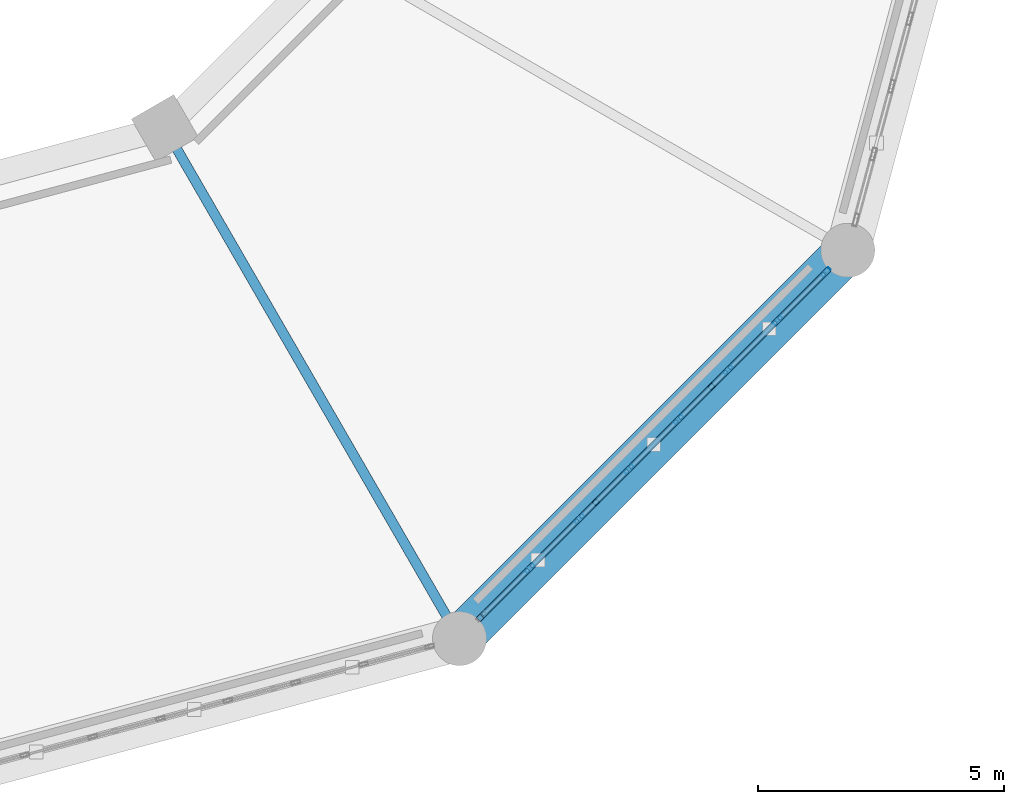
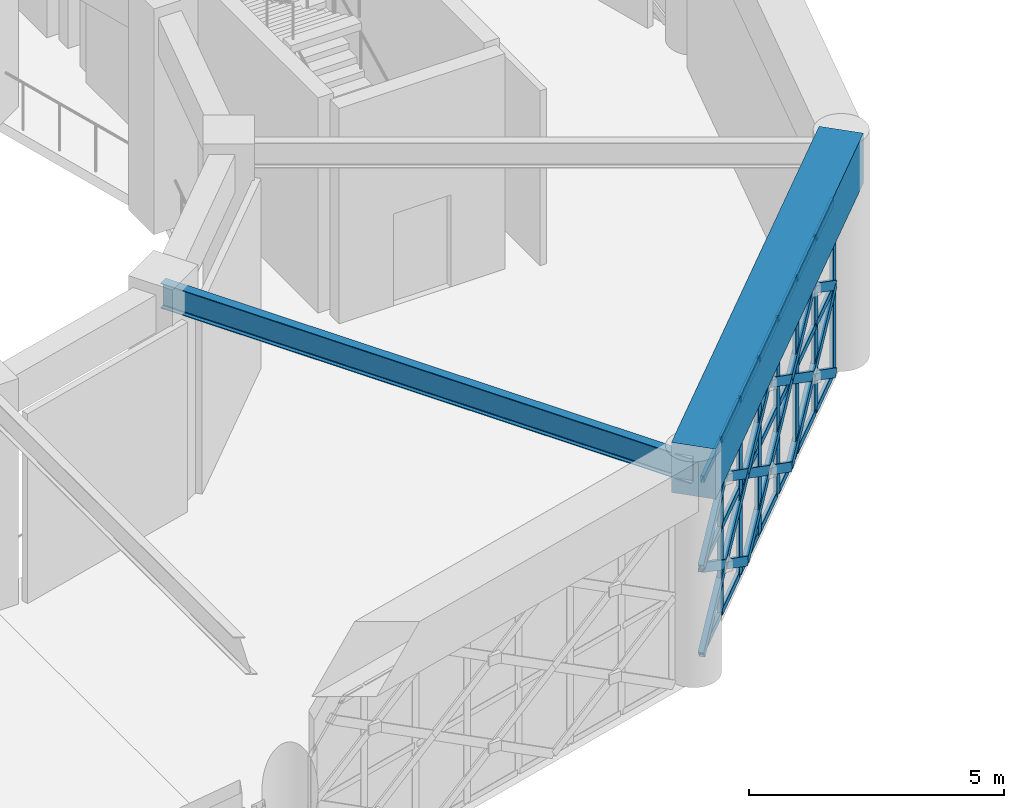
# One storey, part 24 of 72: 46 members, 2 beams, 1 element without a shape of its own.
"""IFC4 building model written with IfcOpenShell, lengths in metres."""

from ifc_helpers import new_model, si_unit, direction, frame, origin, origin_2d, place, context, subcontext, project, spatial, rectangle, hollow_rectangle, i_section, extrude, material, material_profile, profile_set, type_object, element, aggregate, save


model = new_model("IFC4")

# Units and contexts
model_context = context("Model", 3, precision=1e-05, world=origin(), true_north=direction((0.0, 1.0)))
body_context = subcontext(model_context, "Body", "Model", "MODEL_VIEW")
ifc_project = project(units=[si_unit("LENGTHUNIT", "METRE"), si_unit("AREAUNIT", "SQUARE_METRE"), si_unit("VOLUMEUNIT", "CUBIC_METRE"), si_unit("PLANEANGLEUNIT", "RADIAN"), si_unit("MASSUNIT", "GRAM", prefix="KILO")], contexts=[model_context])

# Site, building, storey
site_placement = place(None, origin())
site = spatial("IfcSite", under=ifc_project, at=site_placement, CompositionType="ELEMENT")
building_placement = place(site_placement, origin())
building = spatial("IfcBuilding", under=site, at=building_placement, Name="Haizhuo Lancet Aquarium", CompositionType="ELEMENT")
storey_placement = place(building_placement, frame((0.0, 0.0, 21.60009765625)))
storey = spatial("IfcBuildingStorey", under=building, at=storey_placement, Name="L04", CompositionType="ELEMENT", Elevation=21.60009765625)

# Beams
ifc_material_1 = material(Name="Concrete C50/60", Category="concrete")
ifc_material_profile_1 = material_profile(ifc_material_1, rectangle(XDim=0.89990234375, YDim=1.199951171875, at=origin_2d()), Name="RC-RB 900x1200")
ifc_profile_set_1 = profile_set([ifc_material_profile_1], Name="Concrete C50/60")
beam_type_1 = type_object("IfcBeamType", Name="BM-RB-900x1200", PredefinedType="USERDEFINED", material=ifc_profile_set_1)
beam_1_placement = place(storey_placement, frame((10.800048828125, -18.7060546875, 4.7998046875), z_axis=(0.707106781187, 0.707106781187, 0.0), x_axis=(-0.707106781187, 0.707106781187, 0.0)))
element("IfcBeam", 1, at=beam_1_placement, inside=storey, type_object=beam_type_1, Name="Ocean Hall dome tension ring beam RB-1 seg 11", ObjectType="RING BEAM", PredefinedType="USERDEFINED", context=body_context, shape_type="SweptSolid", body=[
    extrude(rectangle(XDim=0.89990234375, YDim=1.199951171875, at=origin_2d()), origin(), (0.0, 0.0, 1.0), 11.1806640625),
])
ifc_material_2 = material(Name="Steel S355", Category="steel")
ifc_material_profile_2 = material_profile(ifc_material_2, i_section(OverallWidth=0.199951171875, OverallDepth=0.60009765625, WebThickness=0.010986328125, FlangeThickness=0.01708984375, FilletRadius=0.02197265625, at=origin_2d()), Name="HN 600x200x11x17")
ifc_profile_set_2 = profile_set([ifc_material_profile_2], Name="Steel S355")
beam_type_2 = type_object("IfcBeamType", Name="BM-ST-HN600", PredefinedType="BEAM", material=ifc_profile_set_2)
beam_2_placement = place(storey_placement, frame((4.800048828125, -8.31396484375, 4.849853515625), z_axis=(0.500007758305, -0.866020924479, 0.0), x_axis=(0.866020924479, 0.500007758305, 0.0)))
element("IfcBeam", 2, at=beam_2_placement, inside=storey, type_object=beam_type_2, Name="L04 radial gallery girder 11", PredefinedType="BEAM", context=body_context, shape_type="SweptSolid", body=[
    extrude(i_section(OverallWidth=0.199951171875, OverallDepth=0.60009765625, WebThickness=0.010986328125, FlangeThickness=0.01708984375, FilletRadius=0.02197265625, at=origin_2d()), origin(), (0.0, 0.0, 1.0), 11.999755859375),
])

# Curtain wall, members
ifc_material_3 = material(Name="Aluminium 6063-T6", Category="aluminium")
curtain_wall_type = type_object("IfcCurtainWallType", Name="CWO-9990x4180", PredefinedType="NOTDEFINED", material=ifc_material_3)
curtain_wall_placement = place(storey_placement, origin())
curtain_wall = element("IfcCurtainWall", 3, at=curtain_wall_placement, inside=storey, type_object=curtain_wall_type, Name="L04 curtain wall CW-V1-L04-11", PredefinedType="NOTDEFINED")
ifc_material_profile_3 = material_profile(ifc_material_3, hollow_rectangle(XDim=0.074951171875, YDim=0.219970703125, WallThickness=0.0048828125, at=origin_2d()), Name="ALU-M 75x220x5")
ifc_profile_set_3 = profile_set([ifc_material_profile_3], Name="Aluminium 6063-T6")
member_type_1 = type_object("IfcMemberType", Name="CW-MUL-2", PredefinedType="MULLION", material=ifc_profile_set_3)
member_1_placement = place(storey_placement, frame((18.258056640625, -11.248046875, 0.0), z_axis=(0.0, 0.0, 1.0), x_axis=(0.707106781187, -0.707106781187, 0.0)))
member_1 = element("IfcMember", 4, at=member_1_placement, type_object=member_type_1, Name="CWO-99x41 mullion 1", PredefinedType="MULLION", context=body_context, shape_type="SweptSolid", body=[
    extrude(hollow_rectangle(XDim=0.074951171875, YDim=0.219970703125, WallThickness=0.0048828125, at=origin_2d()), origin(), (0.0, 0.0, 1.0), 4.184814453125),
])
member_2_placement = place(storey_placement, frame((17.27587890625, -12.22998046875, 0.0), z_axis=(0.0, 0.0, 1.0), x_axis=(0.707106781187, -0.707106781187, 0.0)))
member_2 = element("IfcMember", 5, at=member_2_placement, type_object=member_type_1, Name="CWO-99x41 mullion 2", PredefinedType="MULLION", context=body_context, shape_type="SweptSolid", body=[
    extrude(hollow_rectangle(XDim=0.074951171875, YDim=0.219970703125, WallThickness=0.0048828125, at=origin_2d()), origin(), (0.0, 0.0, 1.0), 4.184814453125),
])
member_3_placement = place(storey_placement, frame((16.26708984375, -13.239013671875, 0.0), z_axis=(0.0, 0.0, 1.0), x_axis=(0.707106781187, -0.707106781187, 0.0)))
member_3 = element("IfcMember", 6, at=member_3_placement, type_object=member_type_1, Name="CWO-99x41 mullion 3", PredefinedType="MULLION", context=body_context, shape_type="SweptSolid", body=[
    extrude(hollow_rectangle(XDim=0.074951171875, YDim=0.219970703125, WallThickness=0.0048828125, at=origin_2d()), origin(), (0.0, 0.0, 1.0), 4.184814453125),
])
member_4_placement = place(storey_placement, frame((15.258056640625, -14.248046875, 0.0), z_axis=(0.0, 0.0, 1.0), x_axis=(0.707106781187, -0.707106781187, 0.0)))
member_4 = element("IfcMember", 7, at=member_4_placement, type_object=member_type_1, Name="CWO-99x41 mullion 4", PredefinedType="MULLION", context=body_context, shape_type="SweptSolid", body=[
    extrude(hollow_rectangle(XDim=0.074951171875, YDim=0.219970703125, WallThickness=0.0048828125, at=origin_2d()), origin(), (0.0, 0.0, 1.0), 4.184814453125),
])
member_5_placement = place(storey_placement, frame((14.248046875, -15.258056640625, 0.0), z_axis=(0.0, 0.0, 1.0), x_axis=(0.707106781187, -0.707106781187, 0.0)))
member_5 = element("IfcMember", 8, at=member_5_placement, type_object=member_type_1, Name="CWO-99x41 mullion 5", PredefinedType="MULLION", context=body_context, shape_type="SweptSolid", body=[
    extrude(hollow_rectangle(XDim=0.074951171875, YDim=0.219970703125, WallThickness=0.0048828125, at=origin_2d()), origin(), (0.0, 0.0, 1.0), 4.184814453125),
])
member_6_placement = place(storey_placement, frame((13.239013671875, -16.26708984375, 0.0), z_axis=(0.0, 0.0, 1.0), x_axis=(0.707106781187, -0.707106781187, 0.0)))
member_6 = element("IfcMember", 9, at=member_6_placement, type_object=member_type_1, Name="CWO-99x41 mullion 6", PredefinedType="MULLION", context=body_context, shape_type="SweptSolid", body=[
    extrude(hollow_rectangle(XDim=0.074951171875, YDim=0.219970703125, WallThickness=0.0048828125, at=origin_2d()), origin(), (0.0, 0.0, 1.0), 4.184814453125),
])
member_7_placement = place(storey_placement, frame((12.22998046875, -17.27587890625, 0.0), z_axis=(0.0, 0.0, 1.0), x_axis=(0.707106781187, -0.707106781187, 0.0)))
member_7 = element("IfcMember", 10, at=member_7_placement, type_object=member_type_1, Name="CWO-99x41 mullion 7", PredefinedType="MULLION", context=body_context, shape_type="SweptSolid", body=[
    extrude(hollow_rectangle(XDim=0.074951171875, YDim=0.219970703125, WallThickness=0.0048828125, at=origin_2d()), origin(), (0.0, 0.0, 1.0), 4.184814453125),
])
ifc_material_profile_4 = material_profile(ifc_material_3, hollow_rectangle(XDim=0.074951171875, YDim=0.159912109375, WallThickness=0.00390625, at=origin_2d()), Name="ALU-T 75x160x4")
ifc_profile_set_4 = profile_set([ifc_material_profile_4], Name="Aluminium 6063-T6")
member_type_2 = type_object("IfcMemberType", Name="CW-TRN-2", PredefinedType="NOTDEFINED", material=ifc_profile_set_4)
member_8_placement = place(storey_placement, frame((18.23193359375, -11.27392578125, 0.037841796875), z_axis=(-0.707013966752, -0.70719958344, 0.0), x_axis=(0.70719958344, -0.707013966752, 0.0)))
member_8 = element("IfcMember", 11, at=member_8_placement, type_object=member_type_2, Name="CWO-99x41 transom 1.1", ObjectType="TRANSOM", PredefinedType="USERDEFINED", context=body_context, shape_type="SweptSolid", body=[
    extrude(hollow_rectangle(XDim=0.074951171875, YDim=0.159912109375, WallThickness=0.00390625, at=origin_2d()), origin(), (0.0, 0.0, 1.0), 1.315185546875),
])
member_9_placement = place(storey_placement, frame((18.23193359375, -11.27392578125, 2.093017578125), z_axis=(-0.707013966752, -0.70719958344, 0.0), x_axis=(0.70719958344, -0.707013966752, 0.0)))
member_9 = element("IfcMember", 12, at=member_9_placement, type_object=member_type_2, Name="CWO-99x41 transom 1.2", ObjectType="TRANSOM", PredefinedType="USERDEFINED", context=body_context, shape_type="SweptSolid", body=[
    extrude(hollow_rectangle(XDim=0.074951171875, YDim=0.159912109375, WallThickness=0.00390625, at=origin_2d()), origin(), (0.0, 0.0, 1.0), 1.315185546875),
])
member_10_placement = place(storey_placement, frame((18.23193359375, -11.27392578125, 4.14697265625), z_axis=(-0.707013966752, -0.70719958344, 0.0), x_axis=(0.70719958344, -0.707013966752, 0.0)))
member_10 = element("IfcMember", 13, at=member_10_placement, type_object=member_type_2, Name="CWO-99x41 transom 1.3", ObjectType="TRANSOM", PredefinedType="USERDEFINED", context=body_context, shape_type="SweptSolid", body=[
    extrude(hollow_rectangle(XDim=0.074951171875, YDim=0.159912109375, WallThickness=0.00390625, at=origin_2d()), origin(), (0.0, 0.0, 1.0), 1.315185546875),
])
member_11_placement = place(storey_placement, frame((17.2490234375, -12.257080078125, 0.037841796875), z_axis=(-0.707197071268, -0.707016479575, 0.0), x_axis=(0.707016479575, -0.707197071268, 0.0)))
member_11 = element("IfcMember", 14, at=member_11_placement, type_object=member_type_2, Name="CWO-99x41 transom 2.1", ObjectType="TRANSOM", PredefinedType="USERDEFINED", context=body_context, shape_type="SweptSolid", body=[
    extrude(hollow_rectangle(XDim=0.074951171875, YDim=0.159912109375, WallThickness=0.00390625, at=origin_2d()), origin(), (0.0, 0.0, 1.0), 1.351806640625),
])
member_12_placement = place(storey_placement, frame((17.2490234375, -12.257080078125, 2.093017578125), z_axis=(-0.707197071268, -0.707016479575, 0.0), x_axis=(0.707016479575, -0.707197071268, 0.0)))
member_12 = element("IfcMember", 15, at=member_12_placement, type_object=member_type_2, Name="CWO-99x41 transom 2.2", ObjectType="TRANSOM", PredefinedType="USERDEFINED", context=body_context, shape_type="SweptSolid", body=[
    extrude(hollow_rectangle(XDim=0.074951171875, YDim=0.159912109375, WallThickness=0.00390625, at=origin_2d()), origin(), (0.0, 0.0, 1.0), 1.351806640625),
])
member_13_placement = place(storey_placement, frame((17.2490234375, -12.257080078125, 4.14697265625), z_axis=(-0.707197071268, -0.707016479575, 0.0), x_axis=(0.707016479575, -0.707197071268, 0.0)))
member_13 = element("IfcMember", 16, at=member_13_placement, type_object=member_type_2, Name="CWO-99x41 transom 2.3", ObjectType="TRANSOM", PredefinedType="USERDEFINED", context=body_context, shape_type="SweptSolid", body=[
    extrude(hollow_rectangle(XDim=0.074951171875, YDim=0.159912109375, WallThickness=0.00390625, at=origin_2d()), origin(), (0.0, 0.0, 1.0), 1.351806640625),
])
member_14_placement = place(storey_placement, frame((16.239990234375, -13.26611328125, 0.037841796875), z_axis=(-0.707197071268, -0.707016479575, 0.0), x_axis=(0.707016479575, -0.707197071268, 0.0)))
member_14 = element("IfcMember", 17, at=member_14_placement, type_object=member_type_2, Name="CWO-99x41 transom 3.1", ObjectType="TRANSOM", PredefinedType="USERDEFINED", context=body_context, shape_type="SweptSolid", body=[
    extrude(hollow_rectangle(XDim=0.074951171875, YDim=0.159912109375, WallThickness=0.00390625, at=origin_2d()), origin(), (0.0, 0.0, 1.0), 1.351806640625),
])
member_15_placement = place(storey_placement, frame((16.239990234375, -13.26611328125, 2.093017578125), z_axis=(-0.707197071268, -0.707016479575, 0.0), x_axis=(0.707016479575, -0.707197071268, 0.0)))
member_15 = element("IfcMember", 18, at=member_15_placement, type_object=member_type_2, Name="CWO-99x41 transom 3.2", ObjectType="TRANSOM", PredefinedType="USERDEFINED", context=body_context, shape_type="SweptSolid", body=[
    extrude(hollow_rectangle(XDim=0.074951171875, YDim=0.159912109375, WallThickness=0.00390625, at=origin_2d()), origin(), (0.0, 0.0, 1.0), 1.351806640625),
])
member_16_placement = place(storey_placement, frame((16.239990234375, -13.26611328125, 4.14697265625), z_axis=(-0.707197071268, -0.707016479575, 0.0), x_axis=(0.707016479575, -0.707197071268, 0.0)))
member_16 = element("IfcMember", 19, at=member_16_placement, type_object=member_type_2, Name="CWO-99x41 transom 3.3", ObjectType="TRANSOM", PredefinedType="USERDEFINED", context=body_context, shape_type="SweptSolid", body=[
    extrude(hollow_rectangle(XDim=0.074951171875, YDim=0.159912109375, WallThickness=0.00390625, at=origin_2d()), origin(), (0.0, 0.0, 1.0), 1.351806640625),
])
member_17_placement = place(storey_placement, frame((15.23095703125, -14.27490234375, 0.037841796875), z_axis=(-0.707106781187, -0.707106781187, 0.0), x_axis=(0.707106781187, -0.707106781187, 0.0)))
member_17 = element("IfcMember", 20, at=member_17_placement, type_object=member_type_2, Name="CWO-99x41 transom 4.1", ObjectType="TRANSOM", PredefinedType="USERDEFINED", context=body_context, shape_type="SweptSolid", body=[
    extrude(hollow_rectangle(XDim=0.074951171875, YDim=0.159912109375, WallThickness=0.00390625, at=origin_2d()), origin(), (0.0, 0.0, 1.0), 1.35205078125),
])
member_18_placement = place(storey_placement, frame((15.23095703125, -14.27490234375, 2.093017578125), z_axis=(-0.707106781187, -0.707106781187, 0.0), x_axis=(0.707106781187, -0.707106781187, 0.0)))
member_18 = element("IfcMember", 21, at=member_18_placement, type_object=member_type_2, Name="CWO-99x41 transom 4.2", ObjectType="TRANSOM", PredefinedType="USERDEFINED", context=body_context, shape_type="SweptSolid", body=[
    extrude(hollow_rectangle(XDim=0.074951171875, YDim=0.159912109375, WallThickness=0.00390625, at=origin_2d()), origin(), (0.0, 0.0, 1.0), 1.35205078125),
])
member_19_placement = place(storey_placement, frame((15.23095703125, -14.27490234375, 4.14697265625), z_axis=(-0.707106781187, -0.707106781187, 0.0), x_axis=(0.707106781187, -0.707106781187, 0.0)))
member_19 = element("IfcMember", 22, at=member_19_placement, type_object=member_type_2, Name="CWO-99x41 transom 4.3", ObjectType="TRANSOM", PredefinedType="USERDEFINED", context=body_context, shape_type="SweptSolid", body=[
    extrude(hollow_rectangle(XDim=0.074951171875, YDim=0.159912109375, WallThickness=0.00390625, at=origin_2d()), origin(), (0.0, 0.0, 1.0), 1.35205078125),
])
member_20_placement = place(storey_placement, frame((14.221923828125, -15.283935546875, 0.037841796875), z_axis=(-0.707016479575, -0.707197071268, 0.0), x_axis=(0.707197071268, -0.707016479575, 0.0)))
member_20 = element("IfcMember", 23, at=member_20_placement, type_object=member_type_2, Name="CWO-99x41 transom 5.1", ObjectType="TRANSOM", PredefinedType="USERDEFINED", context=body_context, shape_type="SweptSolid", body=[
    extrude(hollow_rectangle(XDim=0.074951171875, YDim=0.159912109375, WallThickness=0.00390625, at=origin_2d()), origin(), (0.0, 0.0, 1.0), 1.351806640625),
])
member_21_placement = place(storey_placement, frame((14.221923828125, -15.283935546875, 2.093017578125), z_axis=(-0.707016479575, -0.707197071268, 0.0), x_axis=(0.707197071268, -0.707016479575, 0.0)))
member_21 = element("IfcMember", 24, at=member_21_placement, type_object=member_type_2, Name="CWO-99x41 transom 5.2", ObjectType="TRANSOM", PredefinedType="USERDEFINED", context=body_context, shape_type="SweptSolid", body=[
    extrude(hollow_rectangle(XDim=0.074951171875, YDim=0.159912109375, WallThickness=0.00390625, at=origin_2d()), origin(), (0.0, 0.0, 1.0), 1.351806640625),
])
member_22_placement = place(storey_placement, frame((14.221923828125, -15.283935546875, 4.14697265625), z_axis=(-0.707016479575, -0.707197071268, 0.0), x_axis=(0.707197071268, -0.707016479575, 0.0)))
member_22 = element("IfcMember", 25, at=member_22_placement, type_object=member_type_2, Name="CWO-99x41 transom 5.3", ObjectType="TRANSOM", PredefinedType="USERDEFINED", context=body_context, shape_type="SweptSolid", body=[
    extrude(hollow_rectangle(XDim=0.074951171875, YDim=0.159912109375, WallThickness=0.00390625, at=origin_2d()), origin(), (0.0, 0.0, 1.0), 1.351806640625),
])
member_23_placement = place(storey_placement, frame((13.212890625, -16.29296875, 0.037841796875), z_axis=(-0.707016479575, -0.707197071268, 0.0), x_axis=(0.707197071268, -0.707016479575, 0.0)))
member_23 = element("IfcMember", 26, at=member_23_placement, type_object=member_type_2, Name="CWO-99x41 transom 6.1", ObjectType="TRANSOM", PredefinedType="USERDEFINED", context=body_context, shape_type="SweptSolid", body=[
    extrude(hollow_rectangle(XDim=0.074951171875, YDim=0.159912109375, WallThickness=0.00390625, at=origin_2d()), origin(), (0.0, 0.0, 1.0), 1.351806640625),
])
member_24_placement = place(storey_placement, frame((13.212890625, -16.29296875, 2.093017578125), z_axis=(-0.707016479575, -0.707197071268, 0.0), x_axis=(0.707197071268, -0.707016479575, 0.0)))
member_24 = element("IfcMember", 27, at=member_24_placement, type_object=member_type_2, Name="CWO-99x41 transom 6.2", ObjectType="TRANSOM", PredefinedType="USERDEFINED", context=body_context, shape_type="SweptSolid", body=[
    extrude(hollow_rectangle(XDim=0.074951171875, YDim=0.159912109375, WallThickness=0.00390625, at=origin_2d()), origin(), (0.0, 0.0, 1.0), 1.351806640625),
])
member_25_placement = place(storey_placement, frame((13.212890625, -16.29296875, 4.14697265625), z_axis=(-0.707016479575, -0.707197071268, 0.0), x_axis=(0.707197071268, -0.707016479575, 0.0)))
member_25 = element("IfcMember", 28, at=member_25_placement, type_object=member_type_2, Name="CWO-99x41 transom 6.3", ObjectType="TRANSOM", PredefinedType="USERDEFINED", context=body_context, shape_type="SweptSolid", body=[
    extrude(hollow_rectangle(XDim=0.074951171875, YDim=0.159912109375, WallThickness=0.00390625, at=origin_2d()), origin(), (0.0, 0.0, 1.0), 1.351806640625),
])
member_26_placement = place(storey_placement, frame((12.2041015625, -17.302001953125, 0.037841796875), z_axis=(-0.70719958344, -0.707013966752, 0.0), x_axis=(0.707013966752, -0.70719958344, 0.0)))
member_26 = element("IfcMember", 29, at=member_26_placement, type_object=member_type_2, Name="CWO-99x41 transom 7.1", ObjectType="TRANSOM", PredefinedType="USERDEFINED", context=body_context, shape_type="SweptSolid", body=[
    extrude(hollow_rectangle(XDim=0.074951171875, YDim=0.159912109375, WallThickness=0.00390625, at=origin_2d()), origin(), (0.0, 0.0, 1.0), 1.315185546875),
])
member_27_placement = place(storey_placement, frame((12.2041015625, -17.302001953125, 2.093017578125), z_axis=(-0.70719958344, -0.707013966752, 0.0), x_axis=(0.707013966752, -0.70719958344, 0.0)))
member_27 = element("IfcMember", 30, at=member_27_placement, type_object=member_type_2, Name="CWO-99x41 transom 7.2", ObjectType="TRANSOM", PredefinedType="USERDEFINED", context=body_context, shape_type="SweptSolid", body=[
    extrude(hollow_rectangle(XDim=0.074951171875, YDim=0.159912109375, WallThickness=0.00390625, at=origin_2d()), origin(), (0.0, 0.0, 1.0), 1.315185546875),
])
member_28_placement = place(storey_placement, frame((12.2041015625, -17.302001953125, 4.14697265625), z_axis=(-0.70719958344, -0.707013966752, 0.0), x_axis=(0.707013966752, -0.70719958344, 0.0)))
member_28 = element("IfcMember", 31, at=member_28_placement, type_object=member_type_2, Name="CWO-99x41 transom 7.3", ObjectType="TRANSOM", PredefinedType="USERDEFINED", context=body_context, shape_type="SweptSolid", body=[
    extrude(hollow_rectangle(XDim=0.074951171875, YDim=0.159912109375, WallThickness=0.00390625, at=origin_2d()), origin(), (0.0, 0.0, 1.0), 1.315185546875),
])
aggregate(curtain_wall, [member_1, member_2, member_3, member_4, member_5, member_6, member_7, member_8, member_9, member_10, member_11, member_12, member_13, member_14, member_15, member_16, member_17, member_18, member_19, member_20, member_21, member_22, member_23, member_24, member_25, member_26, member_27, member_28])

# Members
ifc_material_profile_5 = material_profile(ifc_material_2, hollow_rectangle(XDim=0.1201171875, YDim=0.199951171875, WallThickness=0.008056640625, at=origin_2d()), Name="RHS 120x200x8")
ifc_profile_set_5 = profile_set([ifc_material_profile_5], Name="Steel S355")
member_type_3 = type_object("IfcMemberType", Name="MEM-LB-RHS120x200", PredefinedType="BRACE", material=ifc_profile_set_5)
member_29_placement = place(storey_placement, frame((18.284912109375, -11.220947265625, 0.0), z_axis=(-0.598695261039, -0.598695261039, 0.532097706084), x_axis=(0.707106781187, -0.707106781187, 0.0)))
element("IfcMember", 32, at=member_29_placement, inside=storey, type_object=member_type_3, Name="Gothic lancet continuous diagonal brace CW-V1-L04-11 1A", PredefinedType="BRACE", context=body_context, shape_type="SweptSolid", body=[
    extrude(hollow_rectangle(XDim=0.1201171875, YDim=0.199951171875, WallThickness=0.008056640625, at=origin_2d()), origin(), (0.0, 0.0, 1.0), 3.93359375),
])
member_30_placement = place(storey_placement, frame((15.929931640625, -13.575927734375, 0.0), z_axis=(0.598884148015, 0.598387663747, 0.532231135065), x_axis=(-0.706813497615, 0.707399943164, 0.0)))
element("IfcMember", 33, at=member_30_placement, inside=storey, type_object=member_type_3, Name="Gothic lancet split diagonal brace CW-V1-L04-11 1B1", PredefinedType="BRACE", context=body_context, shape_type="SweptSolid", body=[
    extrude(hollow_rectangle(XDim=0.1201171875, YDim=0.199951171875, WallThickness=0.008056640625, at=origin_2d()), origin(), (0.0, 0.0, 1.0), 1.967041015625),
])
member_31_placement = place(storey_placement, frame((17.10791015625, -12.39892578125, 1.046875), z_axis=(0.598506247939, 0.599002830596, 0.531964171835), x_axis=(-0.707399943164, 0.706813497615, 0.0)))
element("IfcMember", 34, at=member_31_placement, inside=storey, type_object=member_type_3, Name="Gothic lancet split diagonal brace CW-V1-L04-11 1B2", PredefinedType="BRACE", context=body_context, shape_type="SweptSolid", body=[
    extrude(hollow_rectangle(XDim=0.1201171875, YDim=0.199951171875, WallThickness=0.008056640625, at=origin_2d()), origin(), (0.0, 0.0, 1.0), 1.966552734375),
])
member_32_placement = place(storey_placement, frame((18.284912109375, -11.220947265625, 2.093017578125), z_axis=(-0.598794117865, -0.598794117865, 0.531875181616), x_axis=(0.707106781187, -0.707106781187, 0.0)))
element("IfcMember", 35, at=member_32_placement, inside=storey, type_object=member_type_3, Name="Gothic lancet continuous diagonal brace CW-V1-L04-11 2A", PredefinedType="BRACE", context=body_context, shape_type="SweptSolid", body=[
    extrude(hollow_rectangle(XDim=0.1201171875, YDim=0.199951171875, WallThickness=0.008056640625, at=origin_2d()), origin(), (0.0, 0.0, 1.0), 3.932861328125),
])
for number, where, z_axis, x_axis, name in (
    (36, (15.929931640625, -13.575927734375, 2.093017578125), (0.599042388672, 0.59854577322, 0.531875148823), (-0.706813497615, 0.707399943164, 0.0), "Gothic lancet split diagonal brace CW-V1-L04-11 2B1"),
    (37, (17.10791015625, -12.39892578125, 3.138916015625), (0.59854577322, 0.599042388672, 0.531875148823), (-0.707399943164, 0.706813497615, 0.0), "Gothic lancet split diagonal brace CW-V1-L04-11 2B2"),
):
    element("IfcMember", number, at=place(storey_placement, frame(where, z_axis=z_axis, x_axis=x_axis)), inside=storey, type_object=member_type_3, Name=name, PredefinedType="BRACE", context=body_context, shape_type="SweptSolid", body=[
        extrude(hollow_rectangle(XDim=0.1201171875, YDim=0.199951171875, WallThickness=0.008056640625, at=origin_2d()), origin(), (0.0, 0.0, 1.0), 1.966552734375),
    ])
member_33_placement = place(storey_placement, frame((15.929931640625, -13.575927734375, 0.0), z_axis=(-0.598624938424, -0.598624938424, 0.532255921708), x_axis=(0.707106781187, -0.707106781187, 0.0)))
element("IfcMember", 38, at=member_33_placement, inside=storey, type_object=member_type_3, Name="Gothic lancet continuous diagonal brace CW-V1-L04-11 3A", PredefinedType="BRACE", context=body_context, shape_type="SweptSolid", body=[
    extrude(hollow_rectangle(XDim=0.1201171875, YDim=0.199951171875, WallThickness=0.008056640625, at=origin_2d()), origin(), (0.0, 0.0, 1.0), 3.932373046875),
])
member_34_placement = place(storey_placement, frame((13.575927734375, -15.929931640625, 0.0), z_axis=(0.598565591853, 0.598565591853, 0.532389391799), x_axis=(-0.707106781187, 0.707106781187, 0.0)))
element("IfcMember", 39, at=member_34_placement, inside=storey, type_object=member_type_3, Name="Gothic lancet split diagonal brace CW-V1-L04-11 3B1", PredefinedType="BRACE", context=body_context, shape_type="SweptSolid", body=[
    extrude(hollow_rectangle(XDim=0.1201171875, YDim=0.199951171875, WallThickness=0.008056640625, at=origin_2d()), origin(), (0.0, 0.0, 1.0), 1.96630859375),
])
member_35_placement = place(storey_placement, frame((14.7529296875, -14.7529296875, 1.046875), z_axis=(0.598684281878, 0.598684281878, 0.532122411916), x_axis=(-0.707106781187, 0.707106781187, 0.0)))
element("IfcMember", 40, at=member_35_placement, inside=storey, type_object=member_type_3, Name="Gothic lancet split diagonal brace CW-V1-L04-11 3B2", PredefinedType="BRACE", context=body_context, shape_type="SweptSolid", body=[
    extrude(hollow_rectangle(XDim=0.1201171875, YDim=0.199951171875, WallThickness=0.008056640625, at=origin_2d()), origin(), (0.0, 0.0, 1.0), 1.966064453125),
])
member_36_placement = place(storey_placement, frame((15.929931640625, -13.575927734375, 2.093017578125), z_axis=(-0.598723842444, -0.598723842444, 0.53203338333), x_axis=(0.707106781187, -0.707106781187, 0.0)))
element("IfcMember", 41, at=member_36_placement, inside=storey, type_object=member_type_3, Name="Gothic lancet continuous diagonal brace CW-V1-L04-11 4A", PredefinedType="BRACE", context=body_context, shape_type="SweptSolid", body=[
    extrude(hollow_rectangle(XDim=0.1201171875, YDim=0.199951171875, WallThickness=0.008056640625, at=origin_2d()), origin(), (0.0, 0.0, 1.0), 3.931640625),
])
for number, where, z_axis, x_axis, name in (
    (42, (13.575927734375, -15.929931640625, 2.093017578125), (0.598723842444, 0.598723842444, 0.53203338333), (-0.707106781187, 0.707106781187, 0.0), "Gothic lancet split diagonal brace CW-V1-L04-11 4B1"),
    (43, (14.7529296875, -14.7529296875, 3.138916015625), (0.598723842444, 0.598723842444, 0.53203338333), (-0.707106781187, 0.707106781187, 0.0), "Gothic lancet split diagonal brace CW-V1-L04-11 4B2"),
):
    element("IfcMember", number, at=place(storey_placement, frame(where, z_axis=z_axis, x_axis=x_axis)), inside=storey, type_object=member_type_3, Name=name, PredefinedType="BRACE", context=body_context, shape_type="SweptSolid", body=[
        extrude(hollow_rectangle(XDim=0.1201171875, YDim=0.199951171875, WallThickness=0.008056640625, at=origin_2d()), origin(), (0.0, 0.0, 1.0), 1.9658203125),
    ])
member_37_placement = place(storey_placement, frame((13.575927734375, -15.929931640625, 0.0), z_axis=(-0.598695261039, -0.598695261039, 0.532097706084), x_axis=(0.707106781187, -0.707106781187, 0.0)))
element("IfcMember", 44, at=member_37_placement, inside=storey, type_object=member_type_3, Name="Gothic lancet continuous diagonal brace CW-V1-L04-11 5A", PredefinedType="BRACE", context=body_context, shape_type="SweptSolid", body=[
    extrude(hollow_rectangle(XDim=0.1201171875, YDim=0.199951171875, WallThickness=0.008056640625, at=origin_2d()), origin(), (0.0, 0.0, 1.0), 3.93359375),
])
member_38_placement = place(storey_placement, frame((11.220947265625, -18.284912109375, 0.0), z_axis=(0.598884148015, 0.598387663747, 0.532231135065), x_axis=(-0.706813497615, 0.707399943164, 0.0)))
element("IfcMember", 45, at=member_38_placement, inside=storey, type_object=member_type_3, Name="Gothic lancet split diagonal brace CW-V1-L04-11 5B1", PredefinedType="BRACE", context=body_context, shape_type="SweptSolid", body=[
    extrude(hollow_rectangle(XDim=0.1201171875, YDim=0.199951171875, WallThickness=0.008056640625, at=origin_2d()), origin(), (0.0, 0.0, 1.0), 1.967041015625),
])
member_39_placement = place(storey_placement, frame((12.39892578125, -17.10791015625, 1.046875), z_axis=(0.598506247939, 0.599002830596, 0.531964171835), x_axis=(-0.707399943164, 0.706813497615, 0.0)))
element("IfcMember", 46, at=member_39_placement, inside=storey, type_object=member_type_3, Name="Gothic lancet split diagonal brace CW-V1-L04-11 5B2", PredefinedType="BRACE", context=body_context, shape_type="SweptSolid", body=[
    extrude(hollow_rectangle(XDim=0.1201171875, YDim=0.199951171875, WallThickness=0.008056640625, at=origin_2d()), origin(), (0.0, 0.0, 1.0), 1.966552734375),
])
member_40_placement = place(storey_placement, frame((13.575927734375, -15.929931640625, 2.093017578125), z_axis=(-0.598794117865, -0.598794117865, 0.531875181616), x_axis=(0.707106781187, -0.707106781187, 0.0)))
element("IfcMember", 47, at=member_40_placement, inside=storey, type_object=member_type_3, Name="Gothic lancet continuous diagonal brace CW-V1-L04-11 6A", PredefinedType="BRACE", context=body_context, shape_type="SweptSolid", body=[
    extrude(hollow_rectangle(XDim=0.1201171875, YDim=0.199951171875, WallThickness=0.008056640625, at=origin_2d()), origin(), (0.0, 0.0, 1.0), 3.932861328125),
])
for number, where, z_axis, x_axis, name in (
    (48, (11.220947265625, -18.284912109375, 2.093017578125), (0.599042388672, 0.59854577322, 0.531875148823), (-0.706813497615, 0.707399943164, 0.0), "Gothic lancet split diagonal brace CW-V1-L04-11 6B1"),
    (49, (12.39892578125, -17.10791015625, 3.138916015625), (0.59854577322, 0.599042388672, 0.531875148823), (-0.707399943164, 0.706813497615, 0.0), "Gothic lancet split diagonal brace CW-V1-L04-11 6B2"),
):
    element("IfcMember", number, at=place(storey_placement, frame(where, z_axis=z_axis, x_axis=x_axis)), inside=storey, type_object=member_type_3, Name=name, PredefinedType="BRACE", context=body_context, shape_type="SweptSolid", body=[
        extrude(hollow_rectangle(XDim=0.1201171875, YDim=0.199951171875, WallThickness=0.008056640625, at=origin_2d()), origin(), (0.0, 0.0, 1.0), 1.966552734375),
    ])

save(model, "model.ifc")
